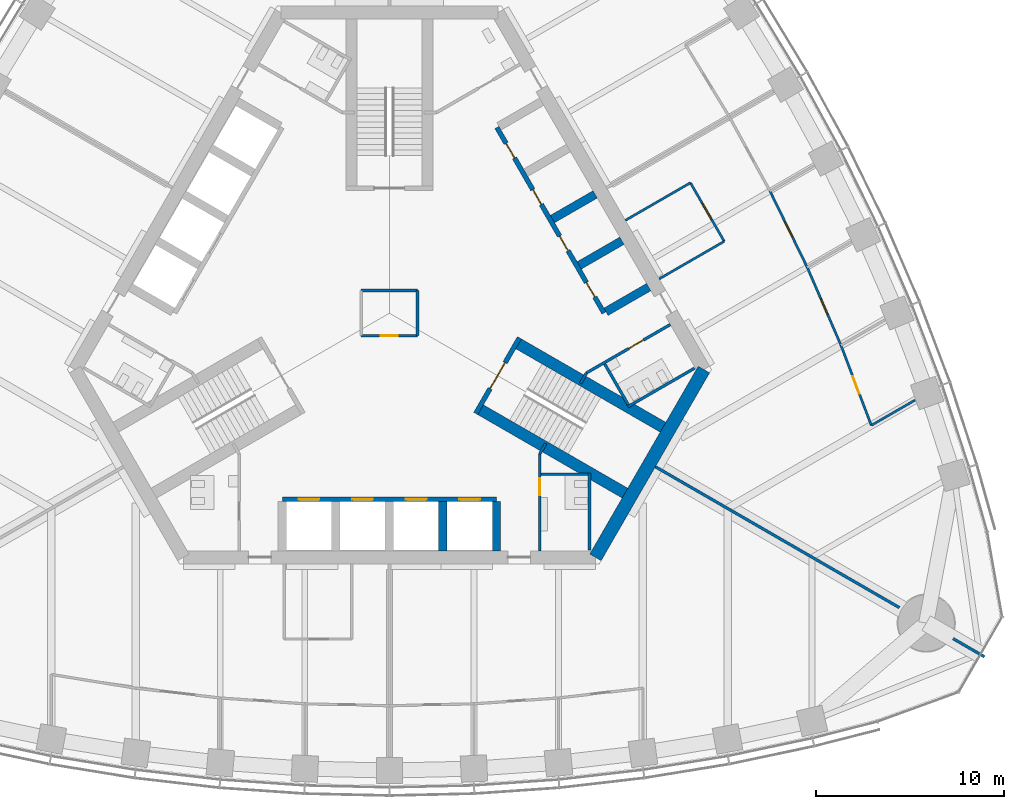
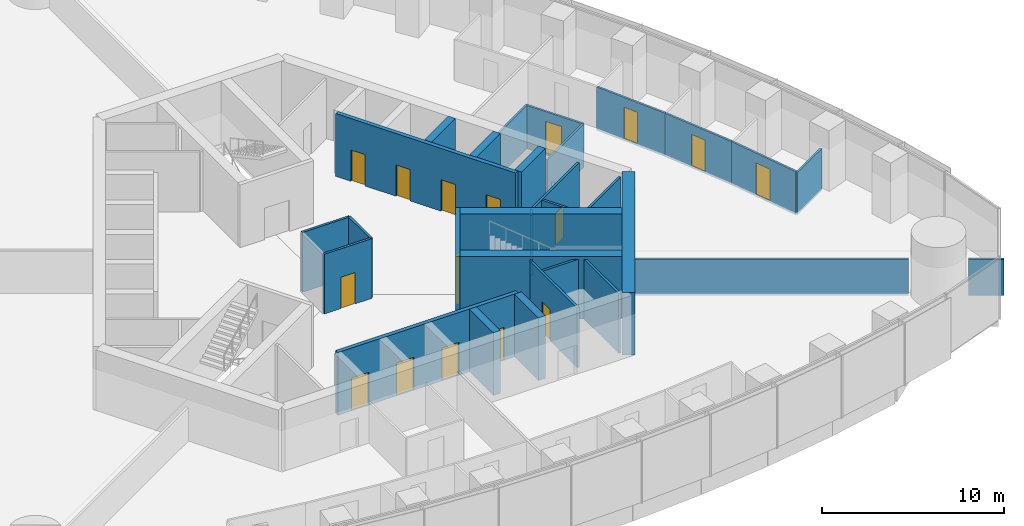
# One storey, part 12 of 18: 31 walls, 16 doors, 16 openings.
"""IFC4 building model written with IfcOpenShell, lengths in metres."""

from ifc_helpers import new_model, si_unit, direction, frame, frame_2d, origin, place, context, subcontext, project, spatial, rectangle, extrude, material, layer, layer_set, type_object, element, fill, save


model = new_model("IFC4")

# Units and contexts
model_context = context("Model", 3, precision=1e-05, world=origin(), true_north=direction((0.0, 1.0)))
body_context = subcontext(model_context, "Body", "Model", "MODEL_VIEW")
ifc_project = project(units=[si_unit("LENGTHUNIT", "METRE"), si_unit("AREAUNIT", "SQUARE_METRE"), si_unit("VOLUMEUNIT", "CUBIC_METRE"), si_unit("PLANEANGLEUNIT", "RADIAN"), si_unit("MASSUNIT", "GRAM", prefix="KILO")], contexts=[model_context])

# Site, building, storey
site_placement = place(None, origin())
site = spatial("IfcSite", under=ifc_project, at=site_placement, CompositionType="ELEMENT")
building_placement = place(site_placement, origin())
building = spatial("IfcBuilding", under=site, at=building_placement, Name="Trefoil Bronze Tower", CompositionType="ELEMENT")
storey_placement = place(building_placement, frame((0.0, 0.0, 252.699951171875)))
storey = spatial("IfcBuildingStorey", under=building, at=storey_placement, Name="L58", CompositionType="ELEMENT", Elevation=252.699951171875)

# Wall
ifc_material_1 = material(Name="Concrete B80", Category="concrete")
ifc_layer_1 = layer(ifc_material_1, 0.699951171875)
ifc_layer_set_1 = layer_set([ifc_layer_1], Name="Core wall 700")
wall_type_1 = type_object("IfcWallType", Name="Core wall 700", PredefinedType="SHEAR", material=ifc_layer_set_1)
wall_1_placement = place(storey_placement, frame((10.9697265625, -13.0, 0.0), z_axis=(0.0, 0.0, 1.0), x_axis=(0.499995765644, 0.866027848477, 0.0)))
element("IfcWall", 1, at=wall_1_placement, inside=storey, type_object=wall_type_1, Name="Core short wall 1 L58", PredefinedType="SHEAR", context=body_context, shape_type="SweptSolid", body=[
    extrude(rectangle(XDim=11.546875, YDim=0.699951171875, at=frame_2d((5.7734375, 0.0))), origin(), (0.0, 0.0, 1.0), 4.199951171875),
])

# Wall, opening, door
ifc_material_2 = material(Name="Glazed partition", Category="glass")
ifc_layer_2 = layer(ifc_material_2, 0.1201171875)
ifc_layer_set_2 = layer_set([ifc_layer_2], Name="Glazed partition 120")
wall_type_2 = type_object("IfcWallType", Name="Glazed partition 120", PredefinedType="PARTITIONING", material=ifc_layer_set_2)
wall_2_placement = place(storey_placement, frame((17.825439453125, 3.8251953125, 0.0), z_axis=(0.0, 0.0, 1.0), x_axis=(-0.499961193289, 0.866047807691, 0.0)))
wall_2 = element("IfcWall", 2, at=wall_2_placement, inside=storey, type_object=wall_type_2, Name="Partition F2 L58", PredefinedType="PARTITIONING", context=body_context, shape_type="SweptSolid", body=[
    extrude(rectangle(XDim=3.599853515625, YDim=0.1201171875, at=frame_2d((1.7998046875, 0.0))), origin(), (0.0, 0.0, 1.0), 2.900146484375),
])
opening_1_placement = place(wall_2_placement, frame((1.35009765625, 0.0, 0.14990234375)))
opening_1 = element("IfcOpeningElement", 3, at=opening_1_placement, cuts=wall_2, Name="Opening D9", PredefinedType="OPENING", context=body_context, shape_type="SweptSolid", body=[
    extrude(rectangle(XDim=1.0, YDim=2.10009765625, at=frame_2d((0.5, 1.050048828125))), frame((0.0, 0.070068359375, 0.0), z_axis=(0.0, -1.0, 0.0), x_axis=(1.0, 0.0, 0.0)), (0.0, 0.0, 1.0), 0.14013671875),
])
ifc_material_3 = material(Name="Glazed timber door", Category="wood")
door_type_1 = type_object("IfcDoorType", Name="Meeting room door 1000", OperationType="SINGLE_SWING_LEFT", PredefinedType="DOOR", material=ifc_material_3)
door_1_placement = place(opening_1_placement, origin())
door_1 = element("IfcDoor", 4, at=door_1_placement, inside=storey, type_object=door_type_1, Name="Meeting room door F2 L58", OperationType="SINGLE_SWING_RIGHT", OverallHeight=2.10009765625, OverallWidth=1.0, PredefinedType="DOOR", context=body_context, shape_type="SweptSolid", body=[
    extrude(rectangle(XDim=1.0, YDim=2.10009765625, at=frame_2d((0.5, 1.050048828125))), frame((0.0, 0.02490234375, 0.0), z_axis=(0.0, -1.0, 0.0), x_axis=(1.0, 0.0, 0.0)), (0.0, 0.0, 1.0), 0.050048828125),
])
fill(opening_1, door_1)

# Walls
for number, where, z_axis, x_axis, name in (
    (5, (12.5615234375, 4.94287109375, 0.0), (0.0, 0.0, 1.0), (0.866026010844, 0.49999894854, 0.0), "Partition F2 L58"),
    (6, (14.361328125, 1.8251953125, 0.0), (0.0, 0.0, 1.0), (0.866026010844, 0.49999894854, 0.0), "Partition F2 L58"),
):
    element("IfcWall", number, at=place(storey_placement, frame(where, z_axis=z_axis, x_axis=x_axis)), inside=storey, type_object=wall_type_2, Name=name, PredefinedType="PARTITIONING", context=body_context, shape_type="SweptSolid", body=[
        extrude(rectangle(XDim=4.0, YDim=0.1201171875, at=frame_2d((2.0, 0.0))), origin(), (0.0, 0.0, 1.0), 2.900146484375),
    ])

# Wall, opening, door
wall_3_placement = place(storey_placement, frame((24.041015625, -1.708251953125, 0.0), z_axis=(0.0, 0.0, 1.0), x_axis=(-0.397208101111, 0.917728567939, 0.0)))
wall_3 = element("IfcWall", 7, at=wall_3_placement, inside=storey, type_object=wall_type_2, Name="Partition F2 L58", PredefinedType="PARTITIONING", context=body_context, shape_type="SweptSolid", body=[
    extrude(rectangle(XDim=4.530029296875, YDim=0.1201171875, at=frame_2d((2.26513671875, 0.0))), origin(), (0.0, 0.0, 1.0), 2.900146484375),
])
opening_2_placement = place(wall_3_placement, frame((1.800048828125, 0.0, 0.14990234375)))
opening_2 = element("IfcOpeningElement", 8, at=opening_2_placement, cuts=wall_3, Name="Opening D8", PredefinedType="OPENING", context=body_context, shape_type="SweptSolid", body=[
    extrude(rectangle(XDim=0.89990234375, YDim=2.10009765625, at=frame_2d((0.449951171875, 1.050048828125))), frame((0.0, 0.070068359375, 0.0), z_axis=(0.0, -1.0, 0.0), x_axis=(1.0, 0.0, 0.0)), (0.0, 0.0, 1.0), 0.14013671875),
])
ifc_material_4 = material(Name="Timber door", Category="wood")
door_type_2 = type_object("IfcDoorType", Name="Office door 900", OperationType="SINGLE_SWING_LEFT", PredefinedType="DOOR", material=ifc_material_4)
door_2_placement = place(opening_2_placement, frame((0.89990234375, 0.0, 0.0), z_axis=(0.0, 0.0, 1.0), x_axis=(-1.0, 0.0, 0.0)))
door_2 = element("IfcDoor", 9, at=door_2_placement, inside=storey, type_object=door_type_2, Name="Office door F2 L58", OperationType="SINGLE_SWING_RIGHT", OverallHeight=2.10009765625, OverallWidth=0.89990234375, PredefinedType="DOOR", context=body_context, shape_type="SweptSolid", body=[
    extrude(rectangle(XDim=0.89990234375, YDim=2.10009765625, at=frame_2d((0.449951171875, 1.050048828125))), frame((0.0, 0.02490234375, 0.0), z_axis=(0.0, -1.0, 0.0), x_axis=(1.0, 0.0, 0.0)), (0.0, 0.0, 1.0), 0.050048828125),
])
fill(opening_2, door_2)

wall_4_placement = place(storey_placement, frame((25.65625, -5.971923828125, 0.0), z_axis=(0.0, 0.0, 1.0), x_axis=(-0.3542667952, 0.935144394101, 0.0)))
wall_4 = element("IfcWall", 10, at=wall_4_placement, inside=storey, type_object=wall_type_2, Name="Partition F2 L58", PredefinedType="PARTITIONING", context=body_context, shape_type="SweptSolid", body=[
    extrude(rectangle(XDim=4.559326171875, YDim=0.1201171875, at=frame_2d((2.27978515625, 0.0))), origin(), (0.0, 0.0, 1.0), 2.900146484375),
])
opening_3_placement = place(wall_4_placement, frame((1.800048828125, 0.0, 0.14990234375)))
opening_3 = element("IfcOpeningElement", 11, at=opening_3_placement, cuts=wall_4, Name="Opening D9", PredefinedType="OPENING", context=body_context, shape_type="SweptSolid", body=[
    extrude(rectangle(XDim=1.0, YDim=2.10009765625, at=frame_2d((0.5, 1.050048828125))), frame((0.0, 0.070068359375, 0.0), z_axis=(0.0, -1.0, 0.0), x_axis=(1.0, 0.0, 0.0)), (0.0, 0.0, 1.0), 0.14013671875),
])
door_3_placement = place(opening_3_placement, frame((1.0, 0.0, 0.0), z_axis=(0.0, 0.0, 1.0), x_axis=(-1.0, 0.0, 0.0)))
door_3 = element("IfcDoor", 12, at=door_3_placement, inside=storey, type_object=door_type_1, Name="Meeting room door F2 L58", OperationType="SINGLE_SWING_LEFT", OverallHeight=2.10009765625, OverallWidth=1.0, PredefinedType="DOOR", context=body_context, shape_type="SweptSolid", body=[
    extrude(rectangle(XDim=1.0, YDim=2.10009765625, at=frame_2d((0.5, 1.050048828125))), frame((0.0, 0.02490234375, 0.0), z_axis=(0.0, -1.0, 0.0), x_axis=(1.0, 0.0, 0.0)), (0.0, 0.0, 1.0), 0.050048828125),
])
fill(opening_3, door_3)

wall_5_placement = place(storey_placement, frame((22.24169921875, 2.448974609375, 0.0), z_axis=(0.0, 0.0, 1.0), x_axis=(-0.43911984878, 0.898428493764, 0.0)))
wall_5 = element("IfcWall", 13, at=wall_5_placement, inside=storey, type_object=wall_type_2, Name="Partition F2 L58", PredefinedType="PARTITIONING", context=body_context, shape_type="SweptSolid", body=[
    extrude(rectangle(XDim=4.5107421875, YDim=0.1201171875, at=frame_2d((2.25537109375, 0.0))), origin(), (0.0, 0.0, 1.0), 2.900146484375),
])
opening_4_placement = place(wall_5_placement, frame((1.800048828125, 0.0, 0.14990234375)))
opening_4 = element("IfcOpeningElement", 14, at=opening_4_placement, cuts=wall_5, Name="Opening D8", PredefinedType="OPENING", context=body_context, shape_type="SweptSolid", body=[
    extrude(rectangle(XDim=0.89990234375, YDim=2.10009765625, at=frame_2d((0.449951171875, 1.050048828125))), frame((0.0, 0.070068359375, 0.0), z_axis=(0.0, -1.0, 0.0), x_axis=(1.0, 0.0, 0.0)), (0.0, 0.0, 1.0), 0.14013671875),
])
door_4_placement = place(opening_4_placement, frame((0.89990234375, 0.0, 0.0), z_axis=(0.0, 0.0, 1.0), x_axis=(-1.0, 0.0, 0.0)))
door_4 = element("IfcDoor", 15, at=door_4_placement, inside=storey, type_object=door_type_2, Name="Office door F2 L58", OperationType="SINGLE_SWING_RIGHT", OverallHeight=2.10009765625, OverallWidth=0.89990234375, PredefinedType="DOOR", context=body_context, shape_type="SweptSolid", body=[
    extrude(rectangle(XDim=0.89990234375, YDim=2.10009765625, at=frame_2d((0.449951171875, 1.050048828125))), frame((0.0, 0.02490234375, 0.0), z_axis=(0.0, -1.0, 0.0), x_axis=(1.0, 0.0, 0.0)), (0.0, 0.0, 1.0), 0.050048828125),
])
fill(opening_4, door_4)

# Walls
wall_6_placement = place(storey_placement, frame((25.65625, -5.971923828125, 0.0), z_axis=(0.0, 0.0, 1.0), x_axis=(0.866048237946, 0.499960447986, 0.0)))
element("IfcWall", 16, at=wall_6_placement, inside=storey, type_object=wall_type_2, Name="Partition F2 L58", PredefinedType="PARTITIONING", context=body_context, shape_type="SweptSolid", body=[
    extrude(rectangle(XDim=2.693603515625, YDim=0.1201171875, at=frame_2d((1.3466796875, 0.0))), origin(), (0.0, 0.0, 1.0), 2.800048828125),
])
ifc_material_5 = material(Name="Concrete B80", Category="concrete")
ifc_layer_3 = layer(ifc_material_5, 0.449951171875)
ifc_layer_set_3 = layer_set([ifc_layer_3], Name="Outrigger shaft wall 450")
wall_type_3 = type_object("IfcWallType", Name="Outrigger shaft wall 450", PredefinedType="SHEAR", material=ifc_layer_set_3)
for number, where, z_axis, x_axis, name in (
    (17, (2.85009765625, -10.02490234375, 0.0), (0.0, 0.0, 1.0), (0.0, -1.0, 0.0), "Lift shaft side wall A3 L58"),
    (18, (5.699951171875, -10.02490234375, 0.0), (0.0, 0.0, 1.0), (0.0, -1.0, 0.0), "Lift shaft side wall A4 L58"),
    (19, (11.531982421875, 0.076171875, 0.0), (0.0, 0.0, 1.0), (0.866013657776, 0.500020344131, 0.0), "Lift shaft side wall B0 L58"),
    (20, (10.10693359375, 2.54443359375, 0.0), (0.0, 0.0, 1.0), (0.866013657776, 0.500020344131, 0.0), "Lift shaft side wall B1 L58"),
    (21, (8.681884765625, 5.012451171875, 0.0), (0.0, 0.0, 1.0), (0.866036909293, 0.499980071345, 0.0), "Lift shaft side wall B2 L58"),
):
    element("IfcWall", number, at=place(storey_placement, frame(where, z_axis=z_axis, x_axis=x_axis)), inside=storey, type_object=wall_type_3, Name=name, PredefinedType="SHEAR", context=body_context, shape_type="SweptSolid", body=[
        extrude(rectangle(XDim=2.625, YDim=0.449951171875, at=frame_2d((1.3125, 0.0))), origin(), (0.0, 0.0, 1.0), 4.199951171875),
    ])

# Wall, opening, door
ifc_material_6 = material(Name="Gypsum board on steel studs", Category="steel")
ifc_layer_4 = layer(ifc_material_6, 0.14990234375)
ifc_layer_set_4 = layer_set([ifc_layer_4], Name="Partition 150")
wall_type_4 = type_object("IfcWallType", Name="Partition 150", PredefinedType="PARTITIONING", material=ifc_layer_set_4)
wall_7_placement = place(storey_placement, frame((8.0, -7.5, 0.0), z_axis=(0.0, 0.0, 1.0), x_axis=(0.0, -1.0, 0.0)))
wall_7 = element("IfcWall", 22, at=wall_7_placement, inside=storey, type_object=wall_type_4, Name="Passage wall F1+ L58", PredefinedType="PARTITIONING", context=body_context, shape_type="SweptSolid", body=[
    extrude(rectangle(XDim=5.14990234375, YDim=0.14990234375, at=frame_2d((2.574951171875, 0.0))), origin(), (0.0, 0.0, 1.0), 4.0),
])
opening_5_placement = place(wall_7_placement, frame((1.300048828125, 0.0, 0.0)))
opening_5 = element("IfcOpeningElement", 23, at=opening_5_placement, cuts=wall_7, Name="Opening D3", PredefinedType="OPENING", context=body_context, shape_type="SweptSolid", body=[
    extrude(rectangle(XDim=0.89990234375, YDim=2.10009765625, at=frame_2d((0.449951171875, 1.050048828125))), frame((0.0, 0.0849609375, 0.0), z_axis=(0.0, -1.0, 0.0), x_axis=(1.0, 0.0, 0.0)), (0.0, 0.0, 1.0), 0.169921875),
])
ifc_material_7 = material(Name="Timber door", Category="wood")
door_type_3 = type_object("IfcDoorType", Name="WC door 900", OperationType="SINGLE_SWING_LEFT", PredefinedType="DOOR", material=ifc_material_7)
door_5_placement = place(opening_5_placement, origin())
door_5 = element("IfcDoor", 24, at=door_5_placement, inside=storey, type_object=door_type_3, Name="WC (men) door L58", OperationType="SINGLE_SWING_LEFT", OverallHeight=2.10009765625, OverallWidth=0.89990234375, PredefinedType="DOOR", context=body_context, shape_type="SweptSolid", body=[
    extrude(rectangle(XDim=0.89990234375, YDim=2.10009765625, at=frame_2d((0.449951171875, 1.050048828125))), frame((0.0, 0.02490234375, 0.0), z_axis=(0.0, -1.0, 0.0), x_axis=(1.0, 0.0, 0.0)), (0.0, 0.0, 1.0), 0.050048828125),
])
fill(opening_5, door_5)

wall_8_placement = place(storey_placement, frame((10.4951171875, -3.17822265625, 0.0), z_axis=(0.0, 0.0, 1.0), x_axis=(0.866037967349, 0.499978238636, 0.0)))
wall_8 = element("IfcWall", 25, at=wall_8_placement, inside=storey, type_object=wall_type_4, Name="Passage wall F2- L58", PredefinedType="PARTITIONING", context=body_context, shape_type="SweptSolid", body=[
    extrude(rectangle(XDim=5.150146484375, YDim=0.14990234375, at=frame_2d((2.5751953125, 0.0))), origin(), (0.0, 0.0, 1.0), 4.0),
])
opening_6_placement = place(wall_8_placement, frame((2.60009765625, 0.0, 0.0)))
opening_6 = element("IfcOpeningElement", 26, at=opening_6_placement, cuts=wall_8, Name="Opening D3", PredefinedType="OPENING", context=body_context, shape_type="SweptSolid", body=[
    extrude(rectangle(XDim=0.89990234375, YDim=2.10009765625, at=frame_2d((0.449951171875, 1.050048828125))), frame((0.0, 0.0849609375, 0.0), z_axis=(0.0, -1.0, 0.0), x_axis=(1.0, 0.0, 0.0)), (0.0, 0.0, 1.0), 0.169921875),
])
door_6_placement = place(opening_6_placement, frame((0.89990234375, 0.0, 0.0), z_axis=(0.0, 0.0, 1.0), x_axis=(-1.0, 0.0, 0.0)))
door_6 = element("IfcDoor", 27, at=door_6_placement, inside=storey, type_object=door_type_3, Name="WC (women) door L58", OperationType="SINGLE_SWING_RIGHT", OverallHeight=2.10009765625, OverallWidth=0.89990234375, PredefinedType="DOOR", context=body_context, shape_type="SweptSolid", body=[
    extrude(rectangle(XDim=0.89990234375, YDim=2.10009765625, at=frame_2d((0.449951171875, 1.050048828125))), frame((0.0, 0.02490234375, 0.0), z_axis=(0.0, -1.0, 0.0), x_axis=(1.0, 0.0, 0.0)), (0.0, 0.0, 1.0), 0.050048828125),
])
fill(opening_6, door_6)

# Walls
for number, where, z_axis, x_axis, name in (
    (28, (8.0, -7.5, 0.0), (0.0, 0.0, 1.0), (0.499842556608, 0.866116284689, 0.0), "WC wall ST1-1 L58"),
    (29, (10.4951171875, -3.17822265625, 0.0), (0.0, 0.0, 1.0), (-0.499842556608, -0.866116284689, 0.0), "WC wall ST1+1 L58"),
):
    element("IfcWall", number, at=place(storey_placement, frame(where, z_axis=z_axis, x_axis=x_axis)), inside=storey, type_object=wall_type_4, Name=name, PredefinedType="PARTITIONING", context=body_context, shape_type="SweptSolid", body=[
        extrude(rectangle(XDim=0.645263671875, YDim=0.14990234375, at=frame_2d((0.32275390625, 0.0))), origin(), (0.0, 0.0, 1.0), 4.0),
    ])
wall_9_placement = place(storey_placement, frame((10.659912109375, -8.5, 0.0), z_axis=(0.0, 0.0, 1.0), x_axis=(0.0, -1.0, 0.0)))
element("IfcWall", 30, at=wall_9_placement, inside=storey, type_object=wall_type_4, Name="WC partition WC (men) L58", PredefinedType="PARTITIONING", context=body_context, shape_type="SweptSolid", body=[
    extrude(rectangle(XDim=4.10009765625, YDim=0.14990234375, at=frame_2d((2.050048828125, 0.0))), origin(), (0.0, 0.0, 1.0), 4.0),
])
wall_10_placement = place(storey_placement, frame((8.074951171875, -8.574951171875, 0.0), z_axis=(0.0, 0.0, 1.0), x_axis=(1.0, 0.0, 0.0)))
element("IfcWall", 31, at=wall_10_placement, inside=storey, type_object=wall_type_4, Name="WC partition WC (men) L58", PredefinedType="PARTITIONING", context=body_context, shape_type="SweptSolid", body=[
    extrude(rectangle(XDim=2.510009765625, YDim=0.14990234375, at=frame_2d((1.2548828125, 0.0))), origin(), (0.0, 0.0, 1.0), 4.0),
])
wall_11_placement = place(storey_placement, frame((12.691162109375, -4.98193359375, 0.0), z_axis=(0.0, 0.0, 1.0), x_axis=(0.8660249478, 0.500000789788, 0.0)))
element("IfcWall", 32, at=wall_11_placement, inside=storey, type_object=wall_type_4, Name="WC partition WC (women) L58", PredefinedType="PARTITIONING", context=body_context, shape_type="SweptSolid", body=[
    extrude(rectangle(XDim=4.10009765625, YDim=0.14990234375, at=frame_2d((2.050048828125, 0.0))), origin(), (0.0, 0.0, 1.0), 4.0),
])
wall_12_placement = place(storey_placement, frame((11.463623046875, -2.70556640625, 0.0), z_axis=(0.0, 0.0, 1.0), x_axis=(0.50001992892, -0.866013897511, 0.0)))
element("IfcWall", 33, at=wall_12_placement, inside=storey, type_object=wall_type_4, Name="WC partition WC (women) L58", PredefinedType="PARTITIONING", context=body_context, shape_type="SweptSolid", body=[
    extrude(rectangle(XDim=2.51025390625, YDim=0.14990234375, at=frame_2d((1.255126953125, 0.0))), origin(), (0.0, 0.0, 1.0), 4.0),
])
ifc_material_8 = material(Name="Gypsum board on steel studs", Category="steel")
ifc_layer_5 = layer(ifc_material_8, 0.14990234375)
ifc_layer_set_5 = layer_set([ifc_layer_5], Name="Party wall 150")
wall_type_5 = type_object("IfcWallType", Name="Party wall 150", PredefinedType="PARTITIONING", material=ifc_layer_set_5)
wall_13_placement = place(storey_placement, frame((14.159423828125, -8.175048828125, 0.0), z_axis=(0.0, 0.0, 1.0), x_axis=(0.866027028085, -0.499997186618, 0.0)))
element("IfcWall", 34, at=wall_13_placement, inside=storey, type_object=wall_type_5, Name="Party wall K1 L58", PredefinedType="PARTITIONING", context=body_context, shape_type="SweptSolid", body=[
    extrude(rectangle(XDim=15.0, YDim=0.14990234375, at=frame_2d((7.5, 0.0))), origin(), (0.0, 0.0, 1.0), 2.400146484375),
])
wall_14_placement = place(storey_placement, frame((30.0078125, -17.324951171875, 0.0), z_axis=(0.0, 0.0, 1.0), x_axis=(0.866013246922, -0.500021055713, 0.0)))
element("IfcWall", 35, at=wall_14_placement, inside=storey, type_object=wall_type_5, Name="Party wall K1 L58", PredefinedType="PARTITIONING", context=body_context, shape_type="SweptSolid", body=[
    extrude(rectangle(XDim=1.9345703125, YDim=0.14990234375, at=frame_2d((0.96728515625, 0.0))), origin(), (0.0, 0.0, 1.0), 2.400146484375),
])

# Wall, opening, door
ifc_material_9 = material(Name="Gypsum board on steel studs", Category="steel")
ifc_layer_6 = layer(ifc_material_9, 0.14990234375)
ifc_layer_set_6 = layer_set([ifc_layer_6], Name="Riser wall 150")
wall_type_6 = type_object("IfcWallType", Name="Riser wall 150", PredefinedType="PARTITIONING", material=ifc_layer_set_6)
wall_15_placement = place(storey_placement, frame((-1.5, -1.199951171875, 0.0), z_axis=(0.0, 0.0, 1.0), x_axis=(1.0, 0.0, 0.0)))
wall_15 = element("IfcWall", 36, at=wall_15_placement, inside=storey, type_object=wall_type_6, Name="Riser wall L58", PredefinedType="PARTITIONING", context=body_context, shape_type="SweptSolid", body=[
    extrude(rectangle(XDim=3.0, YDim=0.14990234375, at=frame_2d((1.5, 0.0))), origin(), (0.0, 0.0, 1.0), 4.0),
])
opening_7_placement = place(wall_15_placement, frame((1.050048828125, 0.0, 0.0)))
opening_7 = element("IfcOpeningElement", 37, at=opening_7_placement, cuts=wall_15, Name="Opening D4", PredefinedType="OPENING", context=body_context, shape_type="SweptSolid", body=[
    extrude(rectangle(XDim=0.89990234375, YDim=2.10009765625, at=frame_2d((0.449951171875, 1.050048828125))), frame((0.0, 0.0849609375, 0.0), z_axis=(0.0, -1.0, 0.0), x_axis=(1.0, 0.0, 0.0)), (0.0, 0.0, 1.0), 0.169921875),
])
ifc_material_10 = material(Name="Steel door", Category="steel")
door_type_4 = type_object("IfcDoorType", Name="Riser door 900", OperationType="SINGLE_SWING_LEFT", PredefinedType="DOOR", material=ifc_material_10)
door_7_placement = place(opening_7_placement, frame((0.89990234375, 0.0, 0.0), z_axis=(0.0, 0.0, 1.0), x_axis=(-1.0, 0.0, 0.0)))
door_7 = element("IfcDoor", 38, at=door_7_placement, inside=storey, type_object=door_type_4, Name="Riser door L58", OperationType="SINGLE_SWING_LEFT", OverallHeight=2.10009765625, OverallWidth=0.89990234375, PredefinedType="DOOR", context=body_context, shape_type="SweptSolid", body=[
    extrude(rectangle(XDim=0.89990234375, YDim=2.10009765625, at=frame_2d((0.449951171875, 1.050048828125))), frame((0.0, 0.02490234375, 0.0), z_axis=(0.0, -1.0, 0.0), x_axis=(1.0, 0.0, 0.0)), (0.0, 0.0, 1.0), 0.050048828125),
])
fill(opening_7, door_7)

# Walls
wall_16_placement = place(storey_placement, frame((1.5, -1.199951171875, 0.0), z_axis=(0.0, 0.0, 1.0), x_axis=(0.0, 1.0, 0.0)))
element("IfcWall", 39, at=wall_16_placement, inside=storey, type_object=wall_type_6, Name="Riser wall L58", PredefinedType="PARTITIONING", context=body_context, shape_type="SweptSolid", body=[
    extrude(rectangle(XDim=2.39990234375, YDim=0.14990234375, at=frame_2d((1.199951171875, 0.0))), origin(), (0.0, 0.0, 1.0), 4.0),
])
wall_17_placement = place(storey_placement, frame((1.5, 1.199951171875, 0.0), z_axis=(0.0, 0.0, 1.0), x_axis=(-1.0, 0.0, 0.0)))
element("IfcWall", 40, at=wall_17_placement, inside=storey, type_object=wall_type_6, Name="Riser wall L58", PredefinedType="PARTITIONING", context=body_context, shape_type="SweptSolid", body=[
    extrude(rectangle(XDim=3.0, YDim=0.14990234375, at=frame_2d((1.5, 0.0))), origin(), (0.0, 0.0, 1.0), 4.0),
])

# Wall, openings, doors
ifc_material_11 = material(Name="Concrete B80", Category="concrete")
ifc_layer_7 = layer(ifc_material_11, 0.25)
ifc_layer_set_7 = layer_set([ifc_layer_7], Name="Shaft wall 250")
wall_type_7 = type_object("IfcWallType", Name="Shaft wall 250", PredefinedType="SHEAR", material=ifc_layer_set_7)
wall_18_placement = place(storey_placement, frame((-5.699951171875, -9.89990234375, 0.0), z_axis=(0.0, 0.0, 1.0), x_axis=(1.0, 0.0, 0.0)))
wall_18 = element("IfcWall", 41, at=wall_18_placement, inside=storey, type_object=wall_type_7, Name="Lift shaft front wall A L58", PredefinedType="SHEAR", context=body_context, shape_type="SweptSolid", body=[
    extrude(rectangle(XDim=11.39990234375, YDim=0.25, at=frame_2d((5.699951171875, 0.0))), origin(), (0.0, 0.0, 1.0), 4.199951171875),
])
opening_8_placement = place(wall_18_placement, frame((0.875, 0.0, 0.0)))
opening_8 = element("IfcOpeningElement", 42, at=opening_8_placement, cuts=wall_18, Name="Opening LD-P31", PredefinedType="OPENING", context=body_context, shape_type="SweptSolid", body=[
    extrude(rectangle(XDim=1.10009765625, YDim=2.199951171875, at=frame_2d((0.550048828125, 1.10009765625))), frame((0.0, 0.135009765625, 0.0), z_axis=(0.0, -1.0, 0.0), x_axis=(1.0, 0.0, 0.0)), (0.0, 0.0, 1.0), 0.27001953125),
])
opening_9_placement = place(wall_18_placement, frame((3.72509765625, 0.0, 0.0)))
opening_9 = element("IfcOpeningElement", 43, at=opening_9_placement, cuts=wall_18, Name="Opening LD-P32", PredefinedType="OPENING", context=body_context, shape_type="SweptSolid", body=[
    extrude(rectangle(XDim=1.10009765625, YDim=2.199951171875, at=frame_2d((0.550048828125, 1.10009765625))), frame((0.0, 0.135009765625, 0.0), z_axis=(0.0, -1.0, 0.0), x_axis=(1.0, 0.0, 0.0)), (0.0, 0.0, 1.0), 0.27001953125),
])
opening_10_placement = place(wall_18_placement, frame((6.574951171875, 0.0, 0.0)))
opening_10 = element("IfcOpeningElement", 44, at=opening_10_placement, cuts=wall_18, Name="Opening LD-P33", PredefinedType="OPENING", context=body_context, shape_type="SweptSolid", body=[
    extrude(rectangle(XDim=1.10009765625, YDim=2.199951171875, at=frame_2d((0.550048828125, 1.10009765625))), frame((0.0, 0.135009765625, 0.0), z_axis=(0.0, -1.0, 0.0), x_axis=(1.0, 0.0, 0.0)), (0.0, 0.0, 1.0), 0.27001953125),
])
opening_11_placement = place(wall_18_placement, frame((9.425048828125, 0.0, 0.0)))
opening_11 = element("IfcOpeningElement", 45, at=opening_11_placement, cuts=wall_18, Name="Opening LD-P34", PredefinedType="OPENING", context=body_context, shape_type="SweptSolid", body=[
    extrude(rectangle(XDim=1.10009765625, YDim=2.199951171875, at=frame_2d((0.550048828125, 1.10009765625))), frame((0.0, 0.135009765625, 0.0), z_axis=(0.0, -1.0, 0.0), x_axis=(1.0, 0.0, 0.0)), (0.0, 0.0, 1.0), 0.27001953125),
])
ifc_material_12 = material(Name="Steel door", Category="steel")
door_type_5 = type_object("IfcDoorType", Name="Lift landing door 1100", OperationType="DOUBLE_DOOR_SLIDING", PredefinedType="DOOR", material=ifc_material_12)
door_8_placement = place(opening_8_placement, origin())
door_8 = element("IfcDoor", 46, at=door_8_placement, inside=storey, type_object=door_type_5, Name="Lift P31 landing door L58", OperationType="DOUBLE_DOOR_SLIDING", OverallHeight=2.199951171875, OverallWidth=1.10009765625, PredefinedType="DOOR", context=body_context, shape_type="SweptSolid", body=[
    extrude(rectangle(XDim=1.10009765625, YDim=2.199951171875, at=frame_2d((0.550048828125, 1.10009765625))), frame((0.0, 0.02490234375, 0.0), z_axis=(0.0, -1.0, 0.0), x_axis=(1.0, 0.0, 0.0)), (0.0, 0.0, 1.0), 0.050048828125),
])
fill(opening_8, door_8)
door_9_placement = place(opening_9_placement, origin())
door_9 = element("IfcDoor", 47, at=door_9_placement, inside=storey, type_object=door_type_5, Name="Lift P32 landing door L58", OperationType="DOUBLE_DOOR_SLIDING", OverallHeight=2.199951171875, OverallWidth=1.10009765625, PredefinedType="DOOR", context=body_context, shape_type="SweptSolid", body=[
    extrude(rectangle(XDim=1.10009765625, YDim=2.199951171875, at=frame_2d((0.550048828125, 1.10009765625))), frame((0.0, 0.02490234375, 0.0), z_axis=(0.0, -1.0, 0.0), x_axis=(1.0, 0.0, 0.0)), (0.0, 0.0, 1.0), 0.050048828125),
])
fill(opening_9, door_9)
door_10_placement = place(opening_10_placement, origin())
door_10 = element("IfcDoor", 48, at=door_10_placement, inside=storey, type_object=door_type_5, Name="Lift P33 landing door L58", OperationType="DOUBLE_DOOR_SLIDING", OverallHeight=2.199951171875, OverallWidth=1.10009765625, PredefinedType="DOOR", context=body_context, shape_type="SweptSolid", body=[
    extrude(rectangle(XDim=1.10009765625, YDim=2.199951171875, at=frame_2d((0.550048828125, 1.10009765625))), frame((0.0, 0.02490234375, 0.0), z_axis=(0.0, -1.0, 0.0), x_axis=(1.0, 0.0, 0.0)), (0.0, 0.0, 1.0), 0.050048828125),
])
fill(opening_10, door_10)
door_11_placement = place(opening_11_placement, origin())
door_11 = element("IfcDoor", 49, at=door_11_placement, inside=storey, type_object=door_type_5, Name="Lift P34 landing door L58", OperationType="DOUBLE_DOOR_SLIDING", OverallHeight=2.199951171875, OverallWidth=1.10009765625, PredefinedType="DOOR", context=body_context, shape_type="SweptSolid", body=[
    extrude(rectangle(XDim=1.10009765625, YDim=2.199951171875, at=frame_2d((0.550048828125, 1.10009765625))), frame((0.0, 0.02490234375, 0.0), z_axis=(0.0, -1.0, 0.0), x_axis=(1.0, 0.0, 0.0)), (0.0, 0.0, 1.0), 0.050048828125),
])
fill(opening_11, door_11)

wall_19_placement = place(storey_placement, frame((11.423583984375, 0.013671875, 0.0), z_axis=(0.0, 0.0, 1.0), x_axis=(-0.500001763848, 0.866024385424, 0.0)))
wall_19 = element("IfcWall", 50, at=wall_19_placement, inside=storey, type_object=wall_type_7, Name="Lift shaft front wall B L58", PredefinedType="SHEAR", context=body_context, shape_type="SweptSolid", body=[
    extrude(rectangle(XDim=11.39990234375, YDim=0.25, at=frame_2d((5.699951171875, 0.0))), origin(), (0.0, 0.0, 1.0), 4.199951171875),
])
opening_12_placement = place(wall_19_placement, frame((0.97509765625, 0.0, 0.0)))
opening_12 = element("IfcOpeningElement", 51, at=opening_12_placement, cuts=wall_19, Name="Opening D12", PredefinedType="OPENING", context=body_context, shape_type="SweptSolid", body=[
    extrude(rectangle(XDim=0.89990234375, YDim=2.10009765625, at=frame_2d((0.449951171875, 1.050048828125))), frame((0.0, 0.135009765625, 0.0), z_axis=(0.0, -1.0, 0.0), x_axis=(1.0, 0.0, 0.0)), (0.0, 0.0, 1.0), 0.27001953125),
])
opening_13_placement = place(wall_19_placement, frame((3.824951171875, 0.0, 0.0)))
opening_13 = element("IfcOpeningElement", 52, at=opening_13_placement, cuts=wall_19, Name="Opening D12", PredefinedType="OPENING", context=body_context, shape_type="SweptSolid", body=[
    extrude(rectangle(XDim=0.89990234375, YDim=2.10009765625, at=frame_2d((0.449951171875, 1.050048828125))), frame((0.0, 0.135009765625, 0.0), z_axis=(0.0, -1.0, 0.0), x_axis=(1.0, 0.0, 0.0)), (0.0, 0.0, 1.0), 0.27001953125),
])
opening_14_placement = place(wall_19_placement, frame((6.675048828125, 0.0, 0.0)))
opening_14 = element("IfcOpeningElement", 53, at=opening_14_placement, cuts=wall_19, Name="Opening D12", PredefinedType="OPENING", context=body_context, shape_type="SweptSolid", body=[
    extrude(rectangle(XDim=0.89990234375, YDim=2.10009765625, at=frame_2d((0.449951171875, 1.050048828125))), frame((0.0, 0.135009765625, 0.0), z_axis=(0.0, -1.0, 0.0), x_axis=(1.0, 0.0, 0.0)), (0.0, 0.0, 1.0), 0.27001953125),
])
opening_15_placement = place(wall_19_placement, frame((9.52490234375, 0.0, 0.0)))
opening_15 = element("IfcOpeningElement", 54, at=opening_15_placement, cuts=wall_19, Name="Opening D12", PredefinedType="OPENING", context=body_context, shape_type="SweptSolid", body=[
    extrude(rectangle(XDim=0.89990234375, YDim=2.10009765625, at=frame_2d((0.449951171875, 1.050048828125))), frame((0.0, 0.135009765625, 0.0), z_axis=(0.0, -1.0, 0.0), x_axis=(1.0, 0.0, 0.0)), (0.0, 0.0, 1.0), 0.27001953125),
])
ifc_material_13 = material(Name="Steel door", Category="steel")
door_type_6 = type_object("IfcDoorType", Name="Shaft room door 900", OperationType="SINGLE_SWING_LEFT", PredefinedType="DOOR", material=ifc_material_13)
door_12_placement = place(opening_12_placement, frame((0.89990234375, 0.0, 0.0), z_axis=(0.0, 0.0, 1.0), x_axis=(-1.0, 0.0, 0.0)))
door_12 = element("IfcDoor", 55, at=door_12_placement, inside=storey, type_object=door_type_6, Name="Shaft room door B1 L58", OperationType="SINGLE_SWING_LEFT", OverallHeight=2.10009765625, OverallWidth=0.89990234375, PredefinedType="DOOR", context=body_context, shape_type="SweptSolid", body=[
    extrude(rectangle(XDim=0.89990234375, YDim=2.10009765625, at=frame_2d((0.449951171875, 1.050048828125))), frame((0.0, 0.02490234375, 0.0), z_axis=(0.0, -1.0, 0.0), x_axis=(1.0, 0.0, 0.0)), (0.0, 0.0, 1.0), 0.050048828125),
])
fill(opening_12, door_12)
door_13_placement = place(opening_13_placement, frame((0.89990234375, 0.0, 0.0), z_axis=(0.0, 0.0, 1.0), x_axis=(-1.0, 0.0, 0.0)))
door_13 = element("IfcDoor", 56, at=door_13_placement, inside=storey, type_object=door_type_6, Name="Shaft room door B2 L58", OperationType="SINGLE_SWING_RIGHT", OverallHeight=2.10009765625, OverallWidth=0.89990234375, PredefinedType="DOOR", context=body_context, shape_type="SweptSolid", body=[
    extrude(rectangle(XDim=0.89990234375, YDim=2.10009765625, at=frame_2d((0.449951171875, 1.050048828125))), frame((0.0, 0.02490234375, 0.0), z_axis=(0.0, -1.0, 0.0), x_axis=(1.0, 0.0, 0.0)), (0.0, 0.0, 1.0), 0.050048828125),
])
fill(opening_13, door_13)
door_14_placement = place(opening_14_placement, frame((0.89990234375, 0.0, 0.0), z_axis=(0.0, 0.0, 1.0), x_axis=(-1.0, 0.0, 0.0)))
door_14 = element("IfcDoor", 57, at=door_14_placement, inside=storey, type_object=door_type_6, Name="Shaft room door B3 L58", OperationType="SINGLE_SWING_RIGHT", OverallHeight=2.10009765625, OverallWidth=0.89990234375, PredefinedType="DOOR", context=body_context, shape_type="SweptSolid", body=[
    extrude(rectangle(XDim=0.89990234375, YDim=2.10009765625, at=frame_2d((0.449951171875, 1.050048828125))), frame((0.0, 0.02490234375, 0.0), z_axis=(0.0, -1.0, 0.0), x_axis=(1.0, 0.0, 0.0)), (0.0, 0.0, 1.0), 0.050048828125),
])
fill(opening_14, door_14)
door_15_placement = place(opening_15_placement, frame((0.89990234375, 0.0, 0.0), z_axis=(0.0, 0.0, 1.0), x_axis=(-1.0, 0.0, 0.0)))
door_15 = element("IfcDoor", 58, at=door_15_placement, inside=storey, type_object=door_type_6, Name="Shaft room door B4 L58", OperationType="SINGLE_SWING_RIGHT", OverallHeight=2.10009765625, OverallWidth=0.89990234375, PredefinedType="DOOR", context=body_context, shape_type="SweptSolid", body=[
    extrude(rectangle(XDim=0.89990234375, YDim=2.10009765625, at=frame_2d((0.449951171875, 1.050048828125))), frame((0.0, 0.02490234375, 0.0), z_axis=(0.0, -1.0, 0.0), x_axis=(1.0, 0.0, 0.0)), (0.0, 0.0, 1.0), 0.050048828125),
])
fill(opening_15, door_15)

# Wall, opening, door
wall_20_placement = place(storey_placement, frame((4.5966796875, -5.338623046875, 0.0), z_axis=(0.0, 0.0, 1.0), x_axis=(0.499984536904, 0.866034331223, 0.0)))
wall_20 = element("IfcWall", 59, at=wall_20_placement, inside=storey, type_object=wall_type_7, Name="Stair end wall ST1 L58", PredefinedType="SHEAR", context=body_context, shape_type="SweptSolid", body=[
    extrude(rectangle(XDim=4.650146484375, YDim=0.25, at=frame_2d((2.3251953125, 0.0))), origin(), (0.0, 0.0, 1.0), 4.199951171875),
])
opening_16_placement = place(wall_20_placement, frame((1.52490234375, 0.0, 0.0)))
opening_16 = element("IfcOpeningElement", 60, at=opening_16_placement, cuts=wall_20, Name="Opening D1", PredefinedType="OPENING", context=body_context, shape_type="SweptSolid", body=[
    extrude(rectangle(XDim=1.60009765625, YDim=2.10009765625, at=frame_2d((0.800048828125, 1.050048828125))), frame((0.0, 0.135009765625, 0.0), z_axis=(0.0, -1.0, 0.0), x_axis=(1.0, 0.0, 0.0)), (0.0, 0.0, 1.0), 0.27001953125),
])
ifc_material_14 = material(Name="Steel door", Category="steel")
door_type_7 = type_object("IfcDoorType", Name="Stair door 1600", OperationType="DOUBLE_DOOR_SINGLE_SWING", PredefinedType="DOOR", material=ifc_material_14)
door_16_placement = place(opening_16_placement, frame((1.60009765625, 0.0, 0.0), z_axis=(0.0, 0.0, 1.0), x_axis=(-1.0, 0.0, 0.0)))
door_16 = element("IfcDoor", 61, at=door_16_placement, inside=storey, type_object=door_type_7, Name="Stair door ST1 L58", OperationType="DOUBLE_DOOR_SINGLE_SWING", OverallHeight=2.10009765625, OverallWidth=1.60009765625, PredefinedType="DOOR", context=body_context, shape_type="SweptSolid", body=[
    extrude(rectangle(XDim=1.60009765625, YDim=2.10009765625, at=frame_2d((0.800048828125, 1.050048828125))), frame((0.0, 0.02490234375, 0.0), z_axis=(0.0, -1.0, 0.0), x_axis=(1.0, 0.0, 0.0)), (0.0, 0.0, 1.0), 0.050048828125),
])
fill(opening_16, door_16)

# Walls
ifc_material_15 = material(Name="Concrete B80", Category="concrete")
ifc_layer_8 = layer(ifc_material_15, 0.60009765625)
ifc_layer_set_8 = layer_set([ifc_layer_8], Name="Stair wall 600")
wall_type_8 = type_object("IfcWallType", Name="Stair wall 600", PredefinedType="SHEAR", material=ifc_layer_set_8)
for number, where, z_axis, x_axis, name in (
    (62, (4.638427734375, -5.01611328125, 0.0), (0.0, 0.0, 1.0), (0.866021621257, -0.500006551472, 0.0), "Stair wall ST1 L58"),
    (63, (6.663330078125, -1.5087890625, 0.0), (0.0, 0.0, 1.0), (0.866028310072, -0.499994966129, 0.0), "Stair wall ST1 L58"),
):
    element("IfcWall", number, at=place(storey_placement, frame(where, z_axis=z_axis, x_axis=x_axis)), inside=storey, type_object=wall_type_8, Name=name, PredefinedType="SHEAR", context=body_context, shape_type="SweptSolid", body=[
        extrude(rectangle(XDim=9.125, YDim=0.60009765625, at=frame_2d((4.5625, 0.0))), origin(), (0.0, 0.0, 1.0), 4.199951171875),
    ])

save(model, "model.ifc")
